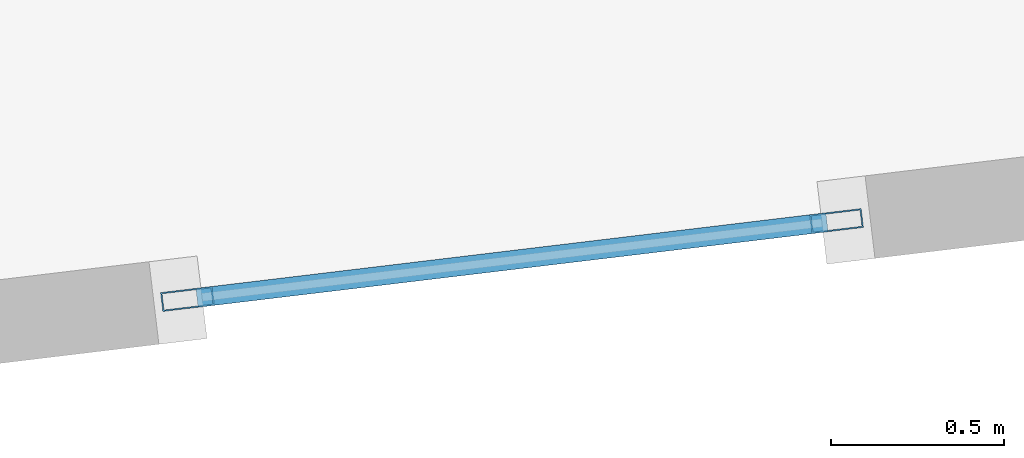
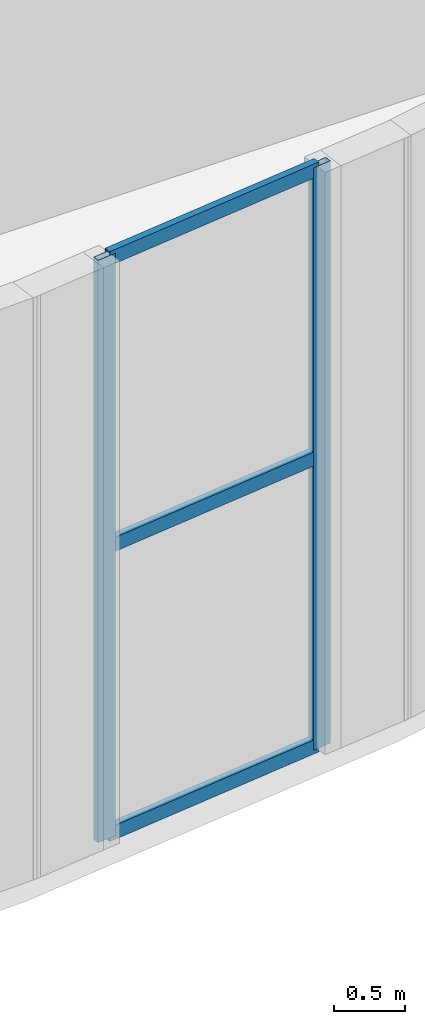
# One storey, part 2 of 12: 5 members, 1 element without a shape of its own.
"""IFC4 building model written with IfcOpenShell, lengths in metres."""

from ifc_helpers import new_model, si_unit, direction, frame, origin, origin_2d, place, context, subcontext, project, spatial, hollow_rectangle, extrude, material, layer, layer_set, material_profile, profile_set, type_object, element, aggregate, save


model = new_model("IFC4")

# Units and contexts
model_context = context("Model", 3, precision=1e-05, world=origin(), true_north=direction((0.0, 1.0)))
body_context = subcontext(model_context, "Body", "Model", "MODEL_VIEW")
ifc_project = project(units=[si_unit("LENGTHUNIT", "METRE"), si_unit("AREAUNIT", "SQUARE_METRE"), si_unit("VOLUMEUNIT", "CUBIC_METRE"), si_unit("PLANEANGLEUNIT", "RADIAN"), si_unit("MASSUNIT", "GRAM", prefix="KILO")], contexts=[model_context])

# Site, building, storey
site_placement = place(None, origin())
site = spatial("IfcSite", under=ifc_project, at=site_placement, CompositionType="ELEMENT")
building_placement = place(site_placement, origin())
building = spatial("IfcBuilding", under=site, at=building_placement, Name="Miruveldt Soraemaru", CompositionType="ELEMENT")
storey_placement = place(building_placement, frame((0.0, 0.0, 312.800048828125)))
storey = spatial("IfcBuildingStorey", under=building, at=storey_placement, Name="L82", CompositionType="ELEMENT", Elevation=312.800048828125)

# Curtain wall, members
ifc_material = material(Name="Anodised aluminium EN AW-6063 T6", Category="aluminium")
ifc_layer = layer(ifc_material, 0.14990234375, Name="Anodised aluminium EN AW-6063 T6", Category="aluminium")
ifc_layer_set = layer_set([ifc_layer], Name="Anodised aluminium EN AW-6063 T6")
curtain_wall_type = type_object("IfcCurtainWallType", Name="CW-SYS-6", PredefinedType="USERDEFINED", material=ifc_layer_set)
curtain_wall_placement = place(storey_placement, origin())
curtain_wall = element("IfcCurtainWall", 1, at=curtain_wall_placement, inside=storey, type_object=curtain_wall_type, Name="L82 Curtain Wall Bay 26", ObjectType="UNITISED GLAZING", PredefinedType="USERDEFINED")
ifc_material_profile_1 = material_profile(ifc_material, hollow_rectangle(XDim=0.054931640625, YDim=0.14990234375, WallThickness=0.00390625, at=origin_2d()), Name="Anodised aluminium EN AW-6063 T6", Category="aluminium")
ifc_profile_set_1 = profile_set([ifc_material_profile_1], Name="Anodised aluminium EN AW-6063 T6")
member_type_1 = type_object("IfcMemberType", Name="CWM-6", PredefinedType="MULLION", material=ifc_profile_set_1)
member_1_placement = place(storey_placement, frame((47.89306640625, 26.564697265625, 0.0), z_axis=(0.0, 0.0, 1.0), x_axis=(-0.11914927964, 0.992876351396, 0.0)))
member_1 = element("IfcMember", 2, at=member_1_placement, type_object=member_type_1, Name="CW-6 mullion 1", PredefinedType="MULLION", context=body_context, shape_type="SweptSolid", body=[
    extrude(hollow_rectangle(XDim=0.054931640625, YDim=0.14990234375, WallThickness=0.00390625, at=origin_2d()), origin(), (0.0, 0.0, 1.0), 4.989990234375),
])
member_2_placement = place(storey_placement, frame((49.767578125, 26.78955078125, 0.0), z_axis=(0.0, 0.0, 1.0), x_axis=(-0.11914927964, 0.992876351396, 0.0)))
member_2 = element("IfcMember", 3, at=member_2_placement, type_object=member_type_1, Name="CW-6 mullion 2", PredefinedType="MULLION", context=body_context, shape_type="SweptSolid", body=[
    extrude(hollow_rectangle(XDim=0.054931640625, YDim=0.14990234375, WallThickness=0.00390625, at=origin_2d()), origin(), (0.0, 0.0, 1.0), 4.989990234375),
])
ifc_material_profile_2 = material_profile(ifc_material, hollow_rectangle(XDim=0.054931640625, YDim=0.1201171875, WallThickness=0.00390625, at=origin_2d()), Name="Anodised aluminium EN AW-6063 T6", Category="aluminium")
ifc_profile_set_2 = profile_set([ifc_material_profile_2], Name="Anodised aluminium EN AW-6063 T6")
member_type_2 = type_object("IfcMemberType", Name="CWT-6", PredefinedType="USERDEFINED", material=ifc_profile_set_2)
member_3_placement = place(storey_placement, frame((47.92041015625, 26.56787109375, 0.02734375), z_axis=(0.992884399982, 0.119082191251, 0.0), x_axis=(-0.119082191251, 0.992884399982, 0.0)))
member_3 = element("IfcMember", 4, at=member_3_placement, type_object=member_type_2, Name="CW-6 transom 1.1", ObjectType="TRANSOM", PredefinedType="USERDEFINED", context=body_context, shape_type="SweptSolid", body=[
    extrude(hollow_rectangle(XDim=0.054931640625, YDim=0.1201171875, WallThickness=0.00390625, at=origin_2d()), origin(), (0.0, 0.0, 1.0), 1.832763671875),
])
member_4_placement = place(storey_placement, frame((47.92041015625, 26.56787109375, 2.494873046875), z_axis=(0.992884399982, 0.119082191251, 0.0), x_axis=(-0.119082191251, 0.992884399982, 0.0)))
member_4 = element("IfcMember", 5, at=member_4_placement, type_object=member_type_2, Name="CW-6 transom 1.2", ObjectType="TRANSOM", PredefinedType="USERDEFINED", context=body_context, shape_type="SweptSolid", body=[
    extrude(hollow_rectangle(XDim=0.054931640625, YDim=0.1201171875, WallThickness=0.00390625, at=origin_2d()), origin(), (0.0, 0.0, 1.0), 1.832763671875),
])
member_5_placement = place(storey_placement, frame((47.92041015625, 26.56787109375, 4.96240234375), z_axis=(0.992884399982, 0.119082191251, 0.0), x_axis=(-0.119082191251, 0.992884399982, 0.0)))
member_5 = element("IfcMember", 6, at=member_5_placement, type_object=member_type_2, Name="CW-6 transom 1.3", ObjectType="TRANSOM", PredefinedType="USERDEFINED", context=body_context, shape_type="SweptSolid", body=[
    extrude(hollow_rectangle(XDim=0.054931640625, YDim=0.1201171875, WallThickness=0.00390625, at=origin_2d()), origin(), (0.0, 0.0, 1.0), 1.832763671875),
])
aggregate(curtain_wall, [member_1, member_2, member_3, member_4, member_5])

save(model, "model.ifc")
